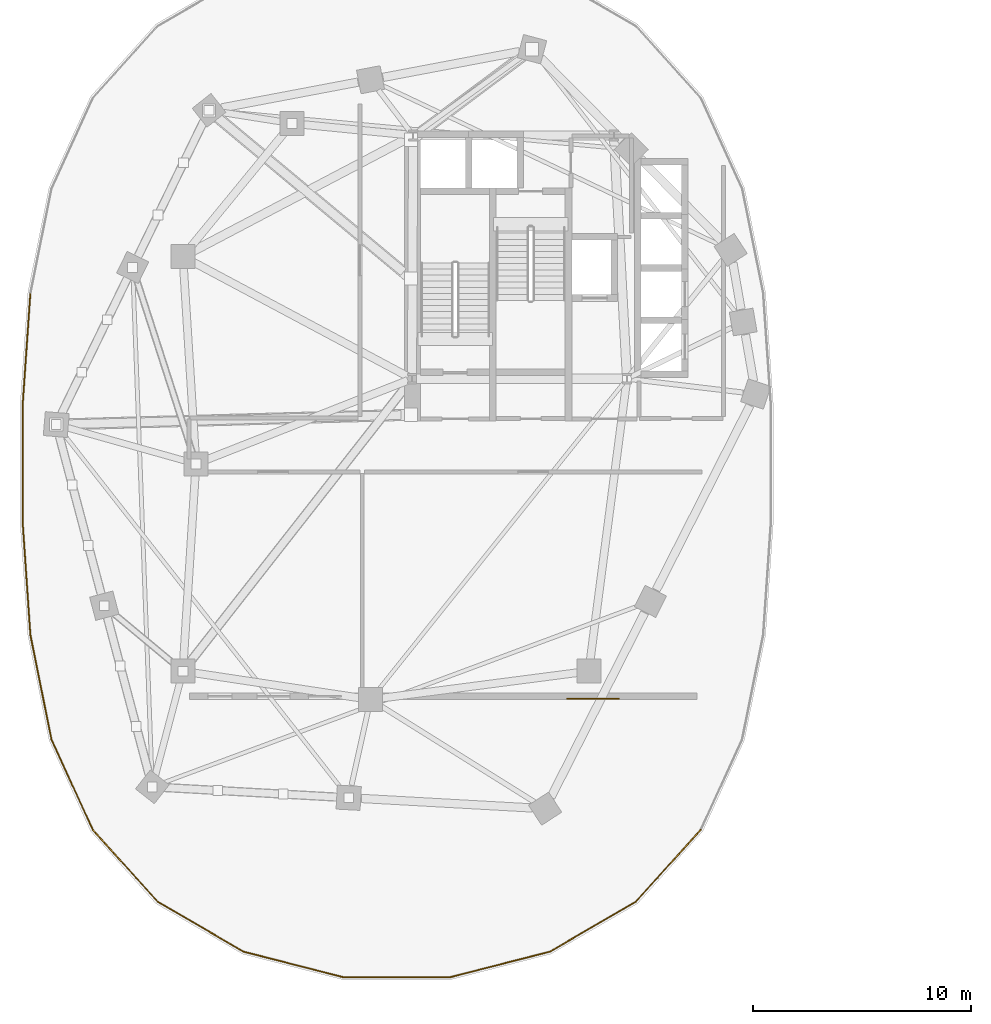
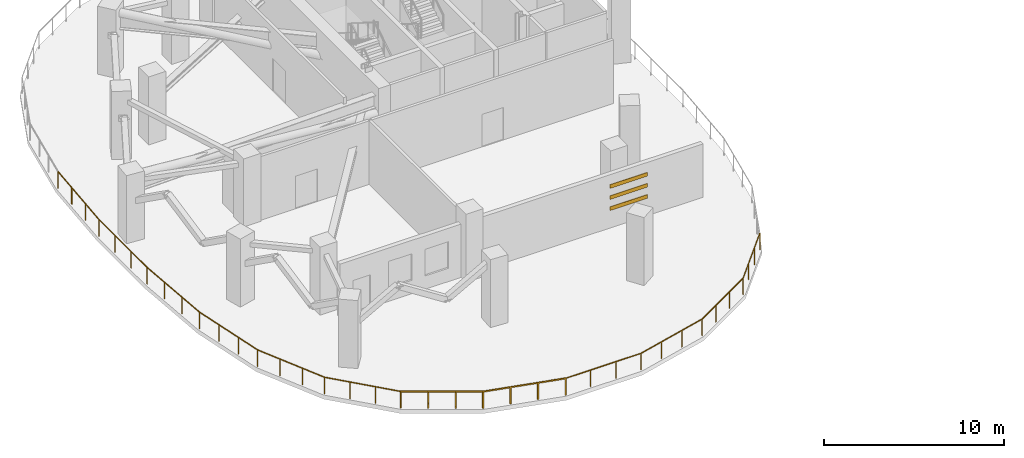
# One storey, part 8 of 13: 6 railings, 3 shading devices.
"""IFC4 building model written with IfcOpenShell, lengths in metres."""

import ifcopenshell
import ifcopenshell.guid

model = None  # the IFC model being written
_history = None  # IfcOwnerHistory: only IFC2X3 demands one
_inside = {}  # id of a spatial element -> (the spatial element, [elements in it])
_under = {}  # id of a project, library or spatial element -> (it, [spatial elements below it])
_declared = {}  # id of a project -> (the project, [libraries it declares])
_typed = {}  # id of a type object -> (the type object, [elements of that type])
_made_of = {}  # id of a material, layer set ... -> (it, [elements and type objects made of it])


def new_model(schema):
    """Start an empty IFC model of exactly this schema.

    Asked for "IFC4X3", IfcOpenShell would pick the latest addendum, in which some entities
    have other attributes; the version numbers below select the first issue.
    IFC2X3 requires an IfcOwnerHistory on every rooted entity: one is made here for all.
    """
    global model, _history
    if schema == "IFC4X3":
        model = ifcopenshell.file(schema_version=(4, 3, 0, 0))
    else:
        model = ifcopenshell.file(schema=schema)
    _inside.clear()
    _under.clear()
    _declared.clear()
    _typed.clear()
    _made_of.clear()
    _history = None
    if model.schema == "IFC2X3":
        org = make("IfcOrganization", Name="unknown")
        user = make(
            "IfcPersonAndOrganization",
            ThePerson=make("IfcPerson", FamilyName="unknown"),
            TheOrganization=org,
        )
        app = make(
            "IfcApplication",
            ApplicationDeveloper=org,
            Version="unknown",
            ApplicationFullName="unknown",
            ApplicationIdentifier="unknown",
        )
        _history = make(
            "IfcOwnerHistory",
            OwningUser=user,
            OwningApplication=app,
            ChangeAction="ADDED",
            CreationDate=0,
        )
    return model


def make(cls, **values):
    """One entity of the class cls with the attributes given. An attribute that is None is left unset."""
    return model.create_entity(
        cls, **{name: value for name, value in values.items() if value is not None}
    )


def rooted(cls, **values):
    """An entity with a GlobalId (a new one), such as an element, a storey or a relation."""
    return make(cls, GlobalId=ifcopenshell.guid.new(), OwnerHistory=_history, **values)


def si_unit(unit_type, name, prefix=None):
    """IfcSIUnit, for example si_unit("LENGTHUNIT", "METRE", prefix="MILLI")."""
    return make("IfcSIUnit", UnitType=unit_type, Prefix=prefix, Name=name)


def assignment(units):
    """IfcUnitAssignment: the units of a project."""
    return None if units is None else make("IfcUnitAssignment", Units=units)


def point(xyz):
    """IfcCartesianPoint."""
    return None if xyz is None else make("IfcCartesianPoint", Coordinates=xyz)


def direction(xyz):
    """IfcDirection."""
    return None if xyz is None else make("IfcDirection", DirectionRatios=xyz)


def frame(location, z_axis=None, x_axis=None):
    """IfcAxis2Placement3D, a coordinate frame: its origin and axes. An axis left out is left unset."""
    return make(
        "IfcAxis2Placement3D",
        Location=point(location),
        Axis=direction(z_axis),
        RefDirection=direction(x_axis),
    )


def frame_2d(location, x_axis=None):
    """IfcAxis2Placement2D, a coordinate frame in the plane: its origin and x axis."""
    return make(
        "IfcAxis2Placement2D", Location=point(location), RefDirection=direction(x_axis)
    )


def origin():
    """The frame at (0, 0, 0) with its axes left unset."""
    return frame((0.0, 0.0, 0.0))


def origin_2d():
    """The frame at (0, 0) in the plane with its x axis left unset."""
    return frame_2d((0.0, 0.0))


def place(relative_to, where):
    """IfcLocalPlacement: puts the frame where relative to a parent placement (None: the world)."""
    return make(
        "IfcLocalPlacement", PlacementRelTo=relative_to, RelativePlacement=where
    )


def context(
    kind, dimensions, precision=None, world=None, true_north=None, identifier=None
):
    """IfcGeometricRepresentationContext, for example the 3D "Model" context."""
    return make(
        "IfcGeometricRepresentationContext",
        ContextIdentifier=identifier,
        ContextType=kind,
        CoordinateSpaceDimension=dimensions,
        Precision=precision,
        WorldCoordinateSystem=world,
        TrueNorth=true_north,
    )


def subcontext(parent, identifier, kind, view, scale=None):
    """IfcGeometricRepresentationSubContext, for example "Body" below "Model"."""
    return make(
        "IfcGeometricRepresentationSubContext",
        ContextIdentifier=identifier,
        ContextType=kind,
        ParentContext=parent,
        TargetScale=scale,
        TargetView=view,
    )


def project(units=None, contexts=None):
    """IfcProject with its units and contexts."""
    return rooted(
        "IfcProject",
        Name="project",
        RepresentationContexts=contexts,
        UnitsInContext=assignment(units),
    )


def spatial(cls, under=None, at=None, **own):
    """A site, building, storey or space (cls), placed at a placement, below another one or the project."""
    s = rooted(cls, ObjectPlacement=at, **own)
    if under is not None:
        _under.setdefault(under.id(), (under, []))[1].append(s)
    return s


def profile(cls, at=None, kind="AREA", **sizes):
    """A parametric profile (cls). Its sizes go by their IFC names, for example OverallWidth=200.0."""
    return make(cls, ProfileType=kind, Position=at, **sizes)


def rectangle(**sizes):
    """IfcRectangleProfileDef."""
    return profile("IfcRectangleProfileDef", **sizes)


def extrude(swept, where, along, depth):
    """IfcExtrudedAreaSolid: the profile swept, set in the frame where, extruded along a direction by depth."""
    return make(
        "IfcExtrudedAreaSolid",
        SweptArea=swept,
        Position=where,
        ExtrudedDirection=direction(along),
        Depth=depth,
    )


def shape(context_of_items, identifier, shape_type, items):
    """IfcShapeRepresentation: the items that make up one representation, for example the "Body"."""
    return make(
        "IfcShapeRepresentation",
        ContextOfItems=context_of_items,
        RepresentationIdentifier=identifier,
        RepresentationType=shape_type,
        Items=items,
    )


def material(Name=None, Category=None):
    """IfcMaterial."""
    return make("IfcMaterial", Name=Name, Category=Category)


def material_profile(
    of_material, cross_section, Name=None, Category=None, Priority=None
):
    """IfcMaterialProfile: a cross section and its material."""
    return make(
        "IfcMaterialProfile",
        Name=Name,
        Material=of_material,
        Profile=cross_section,
        Priority=Priority,
        Category=Category,
    )


def profile_set(profiles, Name=None, composite=None):
    """IfcMaterialProfileSet."""
    return make(
        "IfcMaterialProfileSet",
        Name=Name,
        MaterialProfiles=profiles,
        CompositeProfile=composite,
    )


def made_of(thing, what):
    """Note that an element or type object is made of a material, layer set ...; save() writes the relation."""
    if what is not None:
        _made_of.setdefault(what.id(), (what, []))[1].append(thing)
    return thing


def type_object(cls, material=None, **own):
    """A type object (cls), such as IfcWallType, which elements share."""
    return made_of(rooted(cls, **own), material)


def element(
    cls,
    number,
    at=None,
    inside=None,
    cuts=None,
    type_object=None,
    material=None,
    context=None,
    identifier="Body",
    shape_type=None,
    held_by="IfcProductDefinitionShape",
    body=None,
    shapes=None,
    **own,
):
    """One element of the class cls, such as IfcWall. Its Tag is "e" and its number.

    at: its placement. inside: the storey or other place that contains it. cuts: it is an
    opening in that element (IfcRelVoidsElement). A single representation is given by context,
    identifier, shape_type and body (its items); several are given by shapes. held_by: the class
    of the entity that holds the representations. save() writes the other relations.
    """
    e = rooted(cls, Tag="e%d" % number, ObjectPlacement=at, **own)
    if body is not None:
        shapes = [shape(context, identifier, shape_type, body)]
    if shapes is not None:
        e.Representation = make(held_by, Representations=shapes)
    if inside is not None:
        _inside.setdefault(inside.id(), (inside, []))[1].append(e)
    if cuts is not None:
        rooted(
            "IfcRelVoidsElement", RelatingBuildingElement=cuts, RelatedOpeningElement=e
        )
    if type_object is not None:
        _typed.setdefault(type_object.id(), (type_object, []))[1].append(e)
    return made_of(e, material)


def aggregate(whole, parts):
    """IfcRelAggregates: a whole, such as a stair, and the parts it consists of."""
    return rooted("IfcRelAggregates", RelatingObject=whole, RelatedObjects=parts)


def save(model, path):
    """Write the relations noted so far, then the file.

    IfcRelAggregates (storeys below a building ...), IfcRelContainedInSpatialStructure (elements
    in a storey), IfcRelDefinesByType, IfcRelAssociatesMaterial and IfcRelDeclares: one each for
    every whole, place, type object, material and project.
    """
    for whole, parts in _under.values():
        aggregate(whole, parts)
    for where, things in _inside.values():
        rooted(
            "IfcRelContainedInSpatialStructure",
            RelatedElements=things,
            RelatingStructure=where,
        )
    for kind, things in _typed.values():
        rooted("IfcRelDefinesByType", RelatedObjects=things, RelatingType=kind)
    for what, things in _made_of.values():
        rooted("IfcRelAssociatesMaterial", RelatedObjects=things, RelatingMaterial=what)
    for by, libraries in _declared.values():
        rooted("IfcRelDeclares", RelatingContext=by, RelatedDefinitions=libraries)
    model.write(path)


model = new_model("IFC4")

# Units and contexts
model_context = context("Model", 3, precision=1e-05, world=origin(), true_north=direction((0.0, 1.0)))
body_context = subcontext(model_context, "Body", "Model", "MODEL_VIEW")
ifc_project = project(units=[si_unit("LENGTHUNIT", "METRE"), si_unit("AREAUNIT", "SQUARE_METRE"), si_unit("VOLUMEUNIT", "CUBIC_METRE"), si_unit("PLANEANGLEUNIT", "RADIAN"), si_unit("MASSUNIT", "GRAM", prefix="KILO"), si_unit("THERMODYNAMICTEMPERATUREUNIT", "KELVIN"), si_unit("POWERUNIT", "WATT")], contexts=[model_context])

# Site, building, storey
site_placement = place(None, origin())
site = spatial("IfcSite", under=ifc_project, at=site_placement, CompositionType="ELEMENT")
building_placement = place(site_placement, origin())
building = spatial("IfcBuilding", under=site, at=building_placement, Name="Cundina Bronze Exchange", CompositionType="ELEMENT")
storey_placement = place(building_placement, frame((0.0, 0.0, 77.199951171875)))
storey = spatial("IfcBuildingStorey", under=building, at=storey_placement, Name="L19", CompositionType="ELEMENT", Elevation=77.199951171875)

# Railings
ifc_material = material(Name="Anodised Bronze Aluminium 6063-T6", Category="aluminium")
railing_type = type_object("IfcRailingType", Name="RLG-GRD-1150", PredefinedType="GUARDRAIL", material=ifc_material)
railing_1_placement = place(storey_placement, frame((-18.069580078125, -16.762451171875, 0.0)))
element("IfcRailing", 1, at=railing_1_placement, inside=storey, type_object=railing_type, Name="L19 Perimeter Safety Guardrail 03", PredefinedType="GUARDRAIL", context=body_context, shape_type="SweptSolid", body=[
    extrude(rectangle(XDim=0.048095703125, YDim=0.048095703125, at=origin_2d()), frame((0.0, 0.0, 1.1259765625), z_axis=(-0.669381252421, -0.742919066189, 0.0), x_axis=(0.742919066189, -0.669381252421, 0.0)), (0.0, 0.0, 1.0), 4.435546875),
    extrude(rectangle(XDim=0.048095703125, YDim=0.048095703125, at=origin_2d()), frame((-2.968994140625, -3.295166015625, 1.1259765625), z_axis=(-0.864468804017, -0.502686469762, 0.0), x_axis=(0.502686469762, -0.864468804017, 0.0)), (0.0, 0.0, 1.0), 4.56396484375),
    extrude(rectangle(XDim=0.0419921875, YDim=0.0419921875, at=origin_2d()), origin(), (0.0, 0.0, 1.0), 1.101806640625),
    extrude(rectangle(XDim=0.0419921875, YDim=0.0419921875, at=origin_2d()), frame((-0.98974609375, -1.098388671875, 0.0)), (0.0, 0.0, 1.0), 1.101806640625),
    extrude(rectangle(XDim=0.0419921875, YDim=0.0419921875, at=origin_2d()), frame((-1.979248046875, -2.19677734375, 0.0)), (0.0, 0.0, 1.0), 1.101806640625),
    extrude(rectangle(XDim=0.0419921875, YDim=0.0419921875, at=origin_2d()), frame((-2.968994140625, -3.295166015625, 0.0)), (0.0, 0.0, 1.0), 1.101806640625),
    extrude(rectangle(XDim=0.0419921875, YDim=0.0419921875, at=origin_2d()), frame((-4.2841796875, -4.059814453125, 0.0)), (0.0, 0.0, 1.0), 1.101806640625),
    extrude(rectangle(XDim=0.0419921875, YDim=0.0419921875, at=origin_2d()), frame((-5.59912109375, -4.82470703125, 0.0)), (0.0, 0.0, 1.0), 1.101806640625),
    extrude(rectangle(XDim=0.0419921875, YDim=0.0419921875, at=origin_2d()), frame((-6.914306640625, -5.58935546875, 0.0)), (0.0, 0.0, 1.0), 1.101806640625),
])
railing_2_placement = place(storey_placement, frame((-24.98388671875, -22.351806640625, 0.0)))
element("IfcRailing", 2, at=railing_2_placement, inside=storey, type_object=railing_type, Name="L19 Perimeter Safety Guardrail 04", PredefinedType="GUARDRAIL", context=body_context, shape_type="SweptSolid", body=[
    extrude(rectangle(XDim=0.048095703125, YDim=0.048095703125, at=origin_2d()), frame((0.0, 0.0, 1.1259765625), z_axis=(-0.968744989664, -0.248058753123, 0.0), x_axis=(0.248058753123, -0.968744989664, 0.0)), (0.0, 0.0, 1.0), 4.749755859375),
    extrude(rectangle(XDim=0.048095703125, YDim=0.048095703125, at=origin_2d()), frame((-4.601318359375, -1.17822265625, 1.1259765625), z_axis=(-1.0, 0.0, 0.0), x_axis=(0.0, -1.0, 0.0)), (0.0, 0.0, 1.0), 4.82958984375),
    extrude(rectangle(XDim=0.0419921875, YDim=0.0419921875, at=origin_2d()), origin(), (0.0, 0.0, 1.0), 1.101806640625),
    extrude(rectangle(XDim=0.0419921875, YDim=0.0419921875, at=origin_2d()), frame((-1.53369140625, -0.392822265625, 0.0)), (0.0, 0.0, 1.0), 1.101806640625),
    extrude(rectangle(XDim=0.0419921875, YDim=0.0419921875, at=origin_2d()), frame((-3.067626953125, -0.785400390625, 0.0)), (0.0, 0.0, 1.0), 1.101806640625),
    extrude(rectangle(XDim=0.0419921875, YDim=0.0419921875, at=origin_2d()), frame((-4.601318359375, -1.17822265625, 0.0)), (0.0, 0.0, 1.0), 1.101806640625),
    extrude(rectangle(XDim=0.0419921875, YDim=0.0419921875, at=origin_2d()), frame((-6.211181640625, -1.17822265625, 0.0)), (0.0, 0.0, 1.0), 1.101806640625),
    extrude(rectangle(XDim=0.0419921875, YDim=0.0419921875, at=origin_2d()), frame((-7.821044921875, -1.17822265625, 0.0)), (0.0, 0.0, 1.0), 1.101806640625),
    extrude(rectangle(XDim=0.0419921875, YDim=0.0419921875, at=origin_2d()), frame((-9.430908203125, -1.17822265625, 0.0)), (0.0, 0.0, 1.0), 1.101806640625),
])
railing_3_placement = place(storey_placement, frame((-34.414794921875, -23.530029296875, 0.0)))
element("IfcRailing", 3, at=railing_3_placement, inside=storey, type_object=railing_type, Name="L19 Perimeter Safety Guardrail 05", PredefinedType="GUARDRAIL", context=body_context, shape_type="SweptSolid", body=[
    extrude(rectangle(XDim=0.048095703125, YDim=0.048095703125, at=origin_2d()), frame((0.0, 0.0, 1.1259765625), z_axis=(-0.968744989664, 0.248058753123, 0.0), x_axis=(-0.248058753123, -0.968744989664, 0.0)), (0.0, 0.0, 1.0), 4.749755859375),
    extrude(rectangle(XDim=0.048095703125, YDim=0.048095703125, at=origin_2d()), frame((-4.601318359375, 1.17822265625, 1.1259765625), z_axis=(-0.864468804017, 0.502686469762, 0.0), x_axis=(-0.502686469762, -0.864468804017, 0.0)), (0.0, 0.0, 1.0), 4.56396484375),
    extrude(rectangle(XDim=0.0419921875, YDim=0.0419921875, at=origin_2d()), origin(), (0.0, 0.0, 1.0), 1.101806640625),
    extrude(rectangle(XDim=0.0419921875, YDim=0.0419921875, at=origin_2d()), frame((-1.53369140625, 0.392822265625, 0.0)), (0.0, 0.0, 1.0), 1.101806640625),
    extrude(rectangle(XDim=0.0419921875, YDim=0.0419921875, at=origin_2d()), frame((-3.067626953125, 0.785400390625, 0.0)), (0.0, 0.0, 1.0), 1.101806640625),
    extrude(rectangle(XDim=0.0419921875, YDim=0.0419921875, at=origin_2d()), frame((-4.601318359375, 1.17822265625, 0.0)), (0.0, 0.0, 1.0), 1.101806640625),
    extrude(rectangle(XDim=0.0419921875, YDim=0.0419921875, at=origin_2d()), frame((-5.91650390625, 1.94287109375, 0.0)), (0.0, 0.0, 1.0), 1.101806640625),
    extrude(rectangle(XDim=0.0419921875, YDim=0.0419921875, at=origin_2d()), frame((-7.2314453125, 2.707763671875, 0.0)), (0.0, 0.0, 1.0), 1.101806640625),
    extrude(rectangle(XDim=0.0419921875, YDim=0.0419921875, at=origin_2d()), frame((-8.546630859375, 3.472412109375, 0.0)), (0.0, 0.0, 1.0), 1.101806640625),
])
railing_4_placement = place(storey_placement, frame((-42.96142578125, -20.0576171875, 0.0)))
element("IfcRailing", 4, at=railing_4_placement, inside=storey, type_object=railing_type, Name="L19 Perimeter Safety Guardrail 06", PredefinedType="GUARDRAIL", context=body_context, shape_type="SweptSolid", body=[
    extrude(rectangle(XDim=0.048095703125, YDim=0.048095703125, at=origin_2d()), frame((0.0, 0.0, 1.1259765625), z_axis=(-0.669381252421, 0.742919066189, 0.0), x_axis=(-0.742919066189, -0.669381252421, 0.0)), (0.0, 0.0, 1.0), 4.435546875),
    extrude(rectangle(XDim=0.048095703125, YDim=0.048095703125, at=origin_2d()), frame((-2.968994140625, 3.295166015625, 1.1259765625), z_axis=(-0.415419797692, 0.909629810244, 0.0), x_axis=(-0.909629810244, -0.415419797692, 0.0)), (0.0, 0.0, 1.0), 4.548828125),
    extrude(rectangle(XDim=0.0419921875, YDim=0.0419921875, at=origin_2d()), origin(), (0.0, 0.0, 1.0), 1.101806640625),
    extrude(rectangle(XDim=0.0419921875, YDim=0.0419921875, at=origin_2d()), frame((-0.98974609375, 1.098388671875, 0.0)), (0.0, 0.0, 1.0), 1.101806640625),
    extrude(rectangle(XDim=0.0419921875, YDim=0.0419921875, at=origin_2d()), frame((-1.979248046875, 2.19677734375, 0.0)), (0.0, 0.0, 1.0), 1.101806640625),
    extrude(rectangle(XDim=0.0419921875, YDim=0.0419921875, at=origin_2d()), frame((-2.968994140625, 3.295166015625, 0.0)), (0.0, 0.0, 1.0), 1.101806640625),
    extrude(rectangle(XDim=0.0419921875, YDim=0.0419921875, at=origin_2d()), frame((-3.598876953125, 4.67431640625, 0.0)), (0.0, 0.0, 1.0), 1.101806640625),
    extrude(rectangle(XDim=0.0419921875, YDim=0.0419921875, at=origin_2d()), frame((-4.228759765625, 6.0537109375, 0.0)), (0.0, 0.0, 1.0), 1.101806640625),
    extrude(rectangle(XDim=0.0419921875, YDim=0.0419921875, at=origin_2d()), frame((-4.858642578125, 7.432861328125, 0.0)), (0.0, 0.0, 1.0), 1.101806640625),
])
railing_5_placement = place(storey_placement, frame((-47.820068359375, -12.624755859375, 0.0)))
element("IfcRailing", 5, at=railing_5_placement, inside=storey, type_object=railing_type, Name="L19 Perimeter Safety Guardrail 07", PredefinedType="GUARDRAIL", context=body_context, shape_type="SweptSolid", body=[
    extrude(rectangle(XDim=0.048095703125, YDim=0.048095703125, at=origin_2d()), frame((0.0, 0.0, 1.1259765625), z_axis=(-0.198060616224, 0.980189773616, 0.0), x_axis=(-0.980189773616, -0.198060616224, 0.0)), (0.0, 0.0, 1.0), 4.87646484375),
    extrude(rectangle(XDim=0.048095703125, YDim=0.048095703125, at=origin_2d()), frame((-0.9658203125, 4.77978515625, 1.1259765625), z_axis=(-0.068548934488, 0.997647755263, 0.0), x_axis=(-0.997647755263, -0.068548934488, 0.0)), (0.0, 0.0, 1.0), 5.1962890625),
    extrude(rectangle(XDim=0.0419921875, YDim=0.0419921875, at=origin_2d()), origin(), (0.0, 0.0, 1.0), 1.101806640625),
    extrude(rectangle(XDim=0.0419921875, YDim=0.0419921875, at=origin_2d()), frame((-0.322021484375, 1.59326171875, 0.0)), (0.0, 0.0, 1.0), 1.101806640625),
    extrude(rectangle(XDim=0.0419921875, YDim=0.0419921875, at=origin_2d()), frame((-0.643798828125, 3.1865234375, 0.0)), (0.0, 0.0, 1.0), 1.101806640625),
    extrude(rectangle(XDim=0.0419921875, YDim=0.0419921875, at=origin_2d()), frame((-0.9658203125, 4.77978515625, 0.0)), (0.0, 0.0, 1.0), 1.101806640625),
    extrude(rectangle(XDim=0.0419921875, YDim=0.0419921875, at=origin_2d()), frame((-1.08447265625, 6.5078125, 0.0)), (0.0, 0.0, 1.0), 1.101806640625),
    extrude(rectangle(XDim=0.0419921875, YDim=0.0419921875, at=origin_2d()), frame((-1.203369140625, 8.23583984375, 0.0)), (0.0, 0.0, 1.0), 1.101806640625),
    extrude(rectangle(XDim=0.0419921875, YDim=0.0419921875, at=origin_2d()), frame((-1.322021484375, 9.9638671875, 0.0)), (0.0, 0.0, 1.0), 1.101806640625),
])
railing_6_placement = place(storey_placement, frame((-49.14208984375, -2.660888671875, 0.0)))
element("IfcRailing", 6, at=railing_6_placement, inside=storey, type_object=railing_type, Name="L19 Perimeter Safety Guardrail 08", PredefinedType="GUARDRAIL", context=body_context, shape_type="SweptSolid", body=[
    extrude(rectangle(XDim=0.048095703125, YDim=0.048095703125, at=origin_2d()), frame((0.0, 0.0, 1.1259765625), z_axis=(0.0, 1.0, 0.0), x_axis=(-1.0, 0.0, 0.0)), (0.0, 0.0, 1.0), 5.32177734375),
    extrude(rectangle(XDim=0.048095703125, YDim=0.048095703125, at=origin_2d()), frame((0.0, 5.32177734375, 1.1259765625), z_axis=(0.068548934488, 0.997647755263, 0.0), x_axis=(-0.997647755263, 0.068548934488, 0.0)), (0.0, 0.0, 1.0), 5.1962890625),
    extrude(rectangle(XDim=0.0419921875, YDim=0.0419921875, at=origin_2d()), origin(), (0.0, 0.0, 1.0), 1.101806640625),
    extrude(rectangle(XDim=0.0419921875, YDim=0.0419921875, at=origin_2d()), frame((0.0, 1.77392578125, 0.0)), (0.0, 0.0, 1.0), 1.101806640625),
    extrude(rectangle(XDim=0.0419921875, YDim=0.0419921875, at=origin_2d()), frame((0.0, 3.5478515625, 0.0)), (0.0, 0.0, 1.0), 1.101806640625),
    extrude(rectangle(XDim=0.0419921875, YDim=0.0419921875, at=origin_2d()), frame((0.0, 5.32177734375, 0.0)), (0.0, 0.0, 1.0), 1.101806640625),
    extrude(rectangle(XDim=0.0419921875, YDim=0.0419921875, at=origin_2d()), frame((0.11865234375, 7.0498046875, 0.0)), (0.0, 0.0, 1.0), 1.101806640625),
    extrude(rectangle(XDim=0.0419921875, YDim=0.0419921875, at=origin_2d()), frame((0.237548828125, 8.77783203125, 0.0)), (0.0, 0.0, 1.0), 1.101806640625),
    extrude(rectangle(XDim=0.0419921875, YDim=0.0419921875, at=origin_2d()), frame((0.356201171875, 10.505859375, 0.0)), (0.0, 0.0, 1.0), 1.101806640625),
])

# Shading devices
ifc_material_profile = material_profile(ifc_material, rectangle(XDim=0.06005859375, YDim=0.25, at=origin_2d()), Name="LVR60X250", Category="aluminium")
ifc_profile_set = profile_set([ifc_material_profile], Name="Anodised Bronze Aluminium 6063-T6")
shading_device_type = type_object("IfcShadingDeviceType", Name="SHD-LVR-BRZ250", PredefinedType="JALOUSIE", material=ifc_profile_set)
for number, where, z_axis, x_axis, name in (
    (7, (-24.199951171875, -10.760009765625, 1.300048828125), (1.0, 0.0, 0.0), (0.0, 1.0, 0.0), "L19 Leg W Plant Intake Jalousie Louvre 1"),
    (8, (-24.199951171875, -10.760009765625, 2.050048828125), (1.0, 0.0, 0.0), (0.0, 1.0, 0.0), "L19 Leg W Plant Intake Jalousie Louvre 2"),
    (9, (-24.199951171875, -10.760009765625, 2.800048828125), (1.0, 0.0, 0.0), (0.0, 1.0, 0.0), "L19 Leg W Plant Intake Jalousie Louvre 3"),
):
    element("IfcShadingDevice", number, at=place(storey_placement, frame(where, z_axis=z_axis, x_axis=x_axis)), inside=storey, type_object=shading_device_type, Name=name, PredefinedType="JALOUSIE", context=body_context, shape_type="SweptSolid", body=[
        extrude(rectangle(XDim=0.06005859375, YDim=0.25, at=origin_2d()), origin(), (0.0, 0.0, 1.0), 2.39990234375),
    ])

save(model, "model.ifc")
